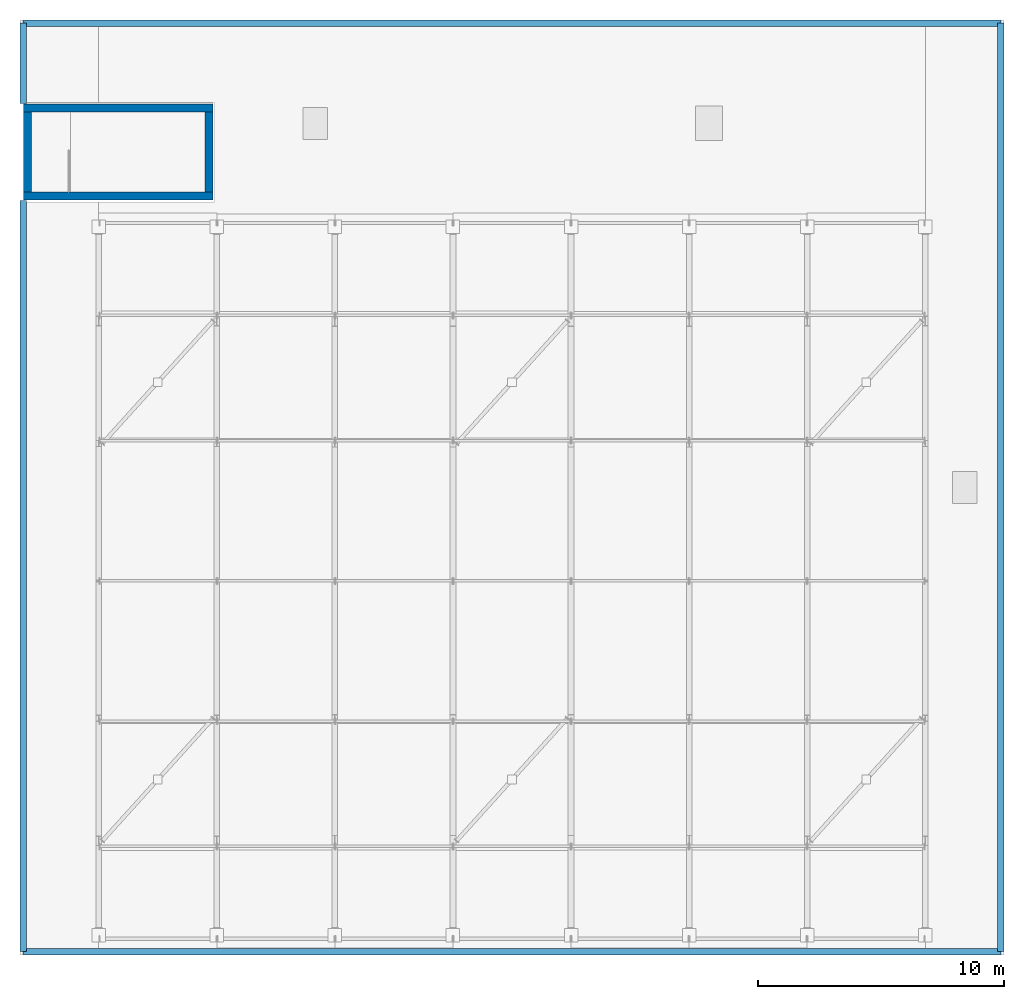
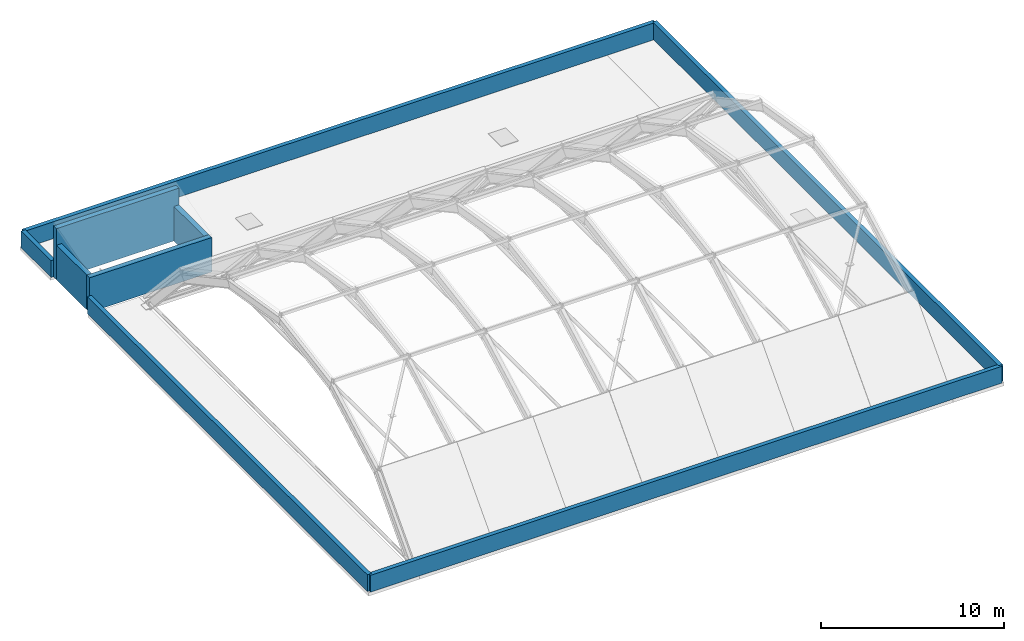
# One storey, part 9 of 10: 9 walls.
"""IFC4 building model written with IfcOpenShell, lengths in metres."""

from ifc_helpers import new_model, si_unit, direction, frame, frame_2d, origin, place, context, subcontext, project, spatial, rectangle, extrude, material, layer, layer_set, type_object, element, save


model = new_model("IFC4")

# Units and contexts
model_context = context("Model", 3, precision=1e-05, world=origin(), true_north=direction((0.0, 1.0)))
body_context = subcontext(model_context, "Body", "Model", "MODEL_VIEW")
ifc_project = project(units=[si_unit("LENGTHUNIT", "METRE"), si_unit("AREAUNIT", "SQUARE_METRE"), si_unit("VOLUMEUNIT", "CUBIC_METRE"), si_unit("PLANEANGLEUNIT", "RADIAN"), si_unit("MASSUNIT", "GRAM", prefix="KILO")], contexts=[model_context])

# Site, building, storey
site_placement = place(None, origin())
site = spatial("IfcSite", under=ifc_project, at=site_placement, CompositionType="ELEMENT")
building_placement = place(site_placement, origin())
building = spatial("IfcBuilding", under=site, at=building_placement, Name="Zantavel Square City Hall", CompositionType="ELEMENT")
storey_placement = place(building_placement, frame((0.0, 0.0, 28.5)))
storey = spatial("IfcBuildingStorey", under=building, at=storey_placement, Name="RF", CompositionType="ELEMENT", Elevation=28.5)

# Walls
ifc_material_1 = material(Name="Concrete C40/50", Category="concrete")
ifc_layer_1 = layer(ifc_material_1, 0.320068359375, Name="Concrete C40/50")
ifc_layer_set_1 = layer_set([ifc_layer_1], Name="Concrete C40/50")
wall_type_1 = type_object("IfcWallType", Name="Core Shear Wall RC 320mm C40/50", PredefinedType="SHEAR", material=ifc_layer_set_1)
wall_1_placement = place(storey_placement, frame((71.85009765625, 61.239990234375, 0.0), z_axis=(0.0, 0.0, 1.0), x_axis=(-1.0, 0.0, 0.0)))
element("IfcWall", 1, at=wall_1_placement, inside=storey, type_object=wall_type_1, Name="RF Stair ST5 Headhouse Wall S", PredefinedType="SHEAR", context=body_context, shape_type="SweptSolid", body=[
    extrude(rectangle(XDim=7.7001953125, YDim=0.320068359375, at=frame_2d((3.85009765625, 0.0))), origin(), (0.0, 0.0, 1.0), 2.300048828125),
])
wall_2_placement = place(storey_placement, frame((64.31005859375, 61.39990234375, 0.0), z_axis=(0.0, 0.0, 1.0), x_axis=(0.0, 1.0, 0.0)))
element("IfcWall", 2, at=wall_2_placement, inside=storey, type_object=wall_type_1, Name="RF Stair ST5 Headhouse Wall W", PredefinedType="SHEAR", context=body_context, shape_type="SweptSolid", body=[
    extrude(rectangle(XDim=3.27001953125, YDim=0.320068359375, at=frame_2d((1.635009765625, 0.0))), origin(), (0.0, 0.0, 1.0), 2.300048828125),
])
wall_3_placement = place(storey_placement, frame((64.14990234375, 64.830078125, 0.0), z_axis=(0.0, 0.0, 1.0), x_axis=(1.0, 0.0, 0.0)))
element("IfcWall", 3, at=wall_3_placement, inside=storey, type_object=wall_type_1, Name="RF Stair ST5 Headhouse Wall N", PredefinedType="SHEAR", context=body_context, shape_type="SweptSolid", body=[
    extrude(rectangle(XDim=7.7001953125, YDim=0.320068359375, at=frame_2d((3.85009765625, 0.0))), origin(), (0.0, 0.0, 1.0), 3.39990234375),
])
wall_4_placement = place(storey_placement, frame((71.68994140625, 64.669921875, 0.0), z_axis=(0.0, 0.0, 1.0), x_axis=(0.0, -1.0, 0.0)))
element("IfcWall", 4, at=wall_4_placement, inside=storey, type_object=wall_type_1, Name="RF Stair ST5 Headhouse Wall E", PredefinedType="SHEAR", context=body_context, shape_type="SweptSolid", body=[
    extrude(rectangle(XDim=3.27001953125, YDim=0.320068359375, at=frame_2d((1.635009765625, 0.0))), origin(), (0.0, 0.0, 1.0), 2.300048828125),
])
ifc_material_2 = material(Name="White cantera volcanic tuff stone", Category="masonry")
ifc_layer_2 = layer(ifc_material_2, 0.260009765625, Name="White cantera volcanic tuff stone")
ifc_layer_set_2 = layer_set([ifc_layer_2], Name="White cantera volcanic tuff stone")
wall_type_2 = type_object("IfcWallType", Name="White Cantera Roof Parapet 260mm", PredefinedType="PARAPET", material=ifc_layer_set_2)
wall_5_placement = place(storey_placement, frame((64.1298828125, 30.530029296875, 0.0), z_axis=(0.0, 0.0, 1.0), x_axis=(0.0, 1.0, 0.0)))
element("IfcWall", 5, at=wall_5_placement, inside=storey, type_object=wall_type_2, Name="RF Roof Parapet Wall 01", PredefinedType="PARAPET", context=body_context, shape_type="SweptSolid", body=[
    extrude(rectangle(XDim=30.530029296875, YDim=0.260009765625, at=frame_2d((15.26513671875, 0.0))), origin(), (0.0, 0.0, 1.0), 1.1201171875),
])
wall_6_placement = place(storey_placement, frame((64.1298828125, 65.010009765625, 0.0), z_axis=(0.0, 0.0, 1.0), x_axis=(0.0, 1.0, 0.0)))
element("IfcWall", 6, at=wall_6_placement, inside=storey, type_object=wall_type_2, Name="RF Roof Parapet Wall 02", PredefinedType="PARAPET", context=body_context, shape_type="SweptSolid", body=[
    extrude(rectangle(XDim=3.260009765625, YDim=0.260009765625, at=frame_2d((1.6298828125, 0.0))), origin(), (0.0, 0.0, 1.0), 1.1201171875),
])
wall_7_placement = place(storey_placement, frame((64.1298828125, 68.27001953125, 0.0), z_axis=(0.0, 0.0, 1.0), x_axis=(1.0, 0.0, 0.0)))
element("IfcWall", 7, at=wall_7_placement, inside=storey, type_object=wall_type_2, Name="RF Roof Parapet Wall 03", PredefinedType="PARAPET", context=body_context, shape_type="SweptSolid", body=[
    extrude(rectangle(XDim=39.740234375, YDim=0.260009765625, at=frame_2d((19.8701171875, 0.0))), origin(), (0.0, 0.0, 1.0), 1.1201171875),
])
wall_8_placement = place(storey_placement, frame((103.8701171875, 68.27001953125, 0.0), z_axis=(0.0, 0.0, 1.0), x_axis=(0.0, -1.0, 0.0)))
element("IfcWall", 8, at=wall_8_placement, inside=storey, type_object=wall_type_2, Name="RF Roof Parapet Wall 04", PredefinedType="PARAPET", context=body_context, shape_type="SweptSolid", body=[
    extrude(rectangle(XDim=37.739990234375, YDim=0.260009765625, at=frame_2d((18.8701171875, 0.0))), origin(), (0.0, 0.0, 1.0), 1.1201171875),
])
wall_9_placement = place(storey_placement, frame((103.8701171875, 30.530029296875, 0.0), z_axis=(0.0, 0.0, 1.0), x_axis=(-1.0, 0.0, 0.0)))
element("IfcWall", 9, at=wall_9_placement, inside=storey, type_object=wall_type_2, Name="RF Roof Parapet Wall 05", PredefinedType="PARAPET", context=body_context, shape_type="SweptSolid", body=[
    extrude(rectangle(XDim=39.740234375, YDim=0.260009765625, at=frame_2d((19.8701171875, 0.0))), origin(), (0.0, 0.0, 1.0), 1.1201171875),
])

save(model, "model.ifc")
